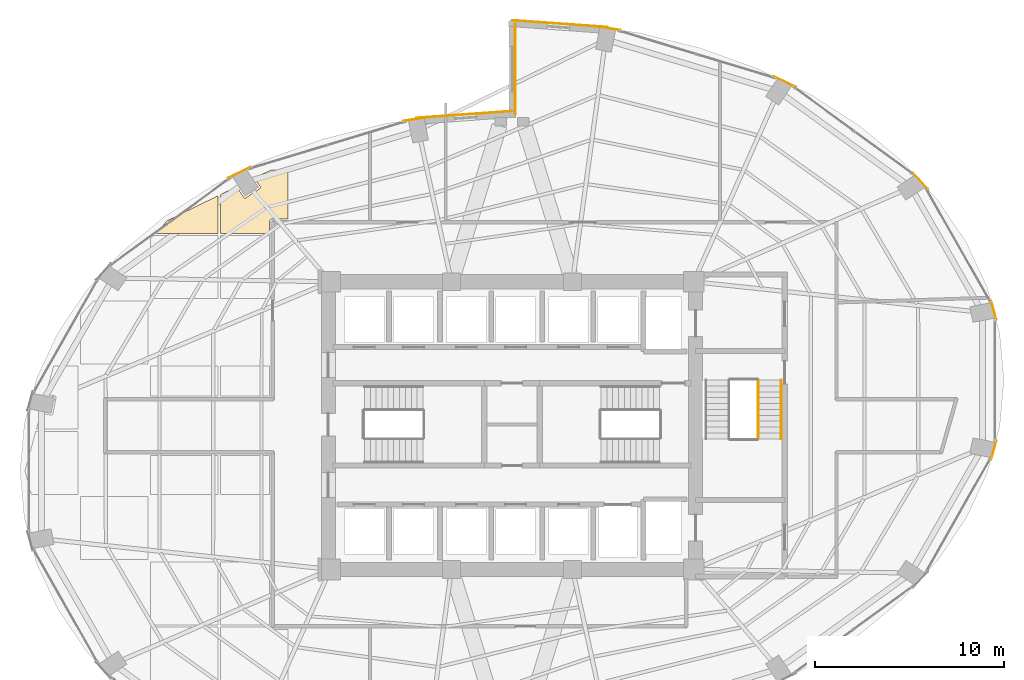
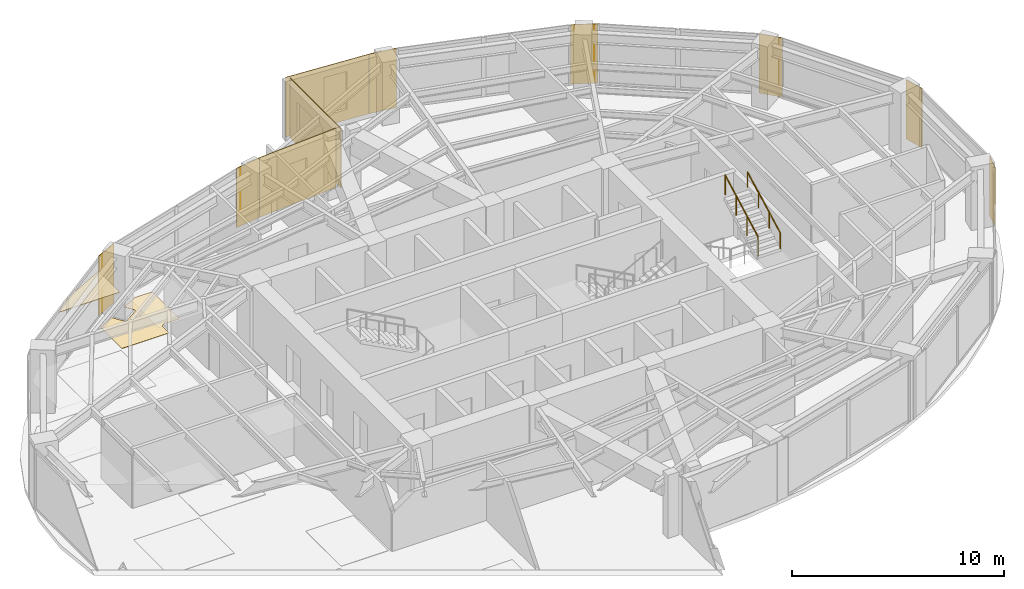
# One storey, part 23 of 23: 12 coverings, 2 railings.
"""IFC4 building model written with IfcOpenShell, lengths in metres."""

from ifc_helpers import new_model, si_unit, direction, frame, origin, origin_2d, place, context, subcontext, project, spatial, polyline, rectangle, circle, outline, extrude, material, layer, layer_set, type_object, element, save


model = new_model("IFC4")

# Units and contexts
model_context = context("Model", 3, precision=1e-05, world=origin(), true_north=direction((0.0, 1.0)))
body_context = subcontext(model_context, "Body", "Model", "MODEL_VIEW")
ifc_project = project(units=[si_unit("LENGTHUNIT", "METRE"), si_unit("AREAUNIT", "SQUARE_METRE"), si_unit("VOLUMEUNIT", "CUBIC_METRE"), si_unit("PLANEANGLEUNIT", "RADIAN"), si_unit("MASSUNIT", "GRAM", prefix="KILO")], contexts=[model_context])

# Site, building, storey
site_placement = place(None, origin())
site = spatial("IfcSite", under=ifc_project, at=site_placement, CompositionType="ELEMENT")
building_placement = place(site_placement, origin())
building = spatial("IfcBuilding", under=site, at=building_placement, Name="Lazwardi Medical Tower", CompositionType="ELEMENT")
storey_placement = place(building_placement, frame((0.0, 0.0, 125.52001953125)))
storey = spatial("IfcBuildingStorey", under=building, at=storey_placement, Name="L32", CompositionType="ELEMENT", Elevation=125.52001953125)

# Coverings
ifc_material_1 = material(Name="Anodised bronze aluminium cassette cladding", Category="aluminium")
ifc_layer_1 = layer(ifc_material_1, 0.030029296875)
ifc_layer_set_1 = layer_set([ifc_layer_1], Name="Anodised bronze aluminium cassette cladding")
covering_type_1 = type_object("IfcCoveringType", Name="COV-CLD-BRZ", PredefinedType="CLADDING", material=ifc_layer_set_1)
for number, where, z_axis, x_axis, name in (
    (1, (61.459716796875, 26.700927734375, 0.0), (0.0, 0.0, 1.0), (0.262696108164, 0.964878621774, 0.0), "L32 Mega-column bronze cassette cover M04"),
    (2, (61.459716796875, 34.09912109375, 0.0), (0.0, 0.0, 1.0), (-0.262696108164, 0.964878621774, 0.0), "L32 Mega-column bronze cassette cover M05"),
):
    element("IfcCovering", number, at=place(storey_placement, frame(where, z_axis=z_axis, x_axis=x_axis)), inside=storey, type_object=covering_type_1, Name=name, PredefinedType="CLADDING", context=body_context, shape_type="SweptSolid", body=[
        extrude(rectangle(XDim=1.04296875, YDim=0.030029296875, at=origin_2d()), origin(), (0.0, 0.0, 1.0), 3.427978515625),
    ])
covering_1_placement = place(storey_placement, frame((57.583740234375, 40.93408203125, 0.0), z_axis=(0.0, 0.0, 1.0), x_axis=(-0.674925949214, 0.737885467453, 0.0)))
element("IfcCovering", 3, at=covering_1_placement, inside=storey, type_object=covering_type_1, Name="L32 Mega-column bronze cassette cover M06", PredefinedType="CLADDING", context=body_context, shape_type="SweptSolid", body=[
    extrude(rectangle(XDim=1.15625, YDim=0.030029296875, at=origin_2d()), origin(), (0.0, 0.0, 1.0), 3.427978515625),
])
covering_2_placement = place(storey_placement, frame((50.421875, 46.16552734375, 0.0), z_axis=(0.0, 0.0, 1.0), x_axis=(-0.898679250201, 0.438606435495, 0.0)))
element("IfcCovering", 4, at=covering_2_placement, inside=storey, type_object=covering_type_1, Name="L32 Mega-column bronze cassette cover M07", PredefinedType="CLADDING", context=body_context, shape_type="SweptSolid", body=[
    extrude(rectangle(XDim=1.2998046875, YDim=0.030029296875, at=origin_2d()), origin(), (0.0, 0.0, 1.0), 3.427978515625),
])
for number, where, z_axis, x_axis, name in (
    (5, (41.064208984375, 48.99658203125, 0.0), (0.0, 0.0, 1.0), (-0.989609019093, 0.143784523955, 0.0), "L32 Mega-column bronze cassette cover M08"),
    (6, (30.935791015625, 44.19677734375, 0.0), (0.0, 0.0, 1.0), (-0.989609019093, -0.143784523955, 0.0), "L32 Mega-column bronze cassette cover M09"),
):
    element("IfcCovering", number, at=place(storey_placement, frame(where, z_axis=z_axis, x_axis=x_axis)), inside=storey, type_object=covering_type_1, Name=name, PredefinedType="CLADDING", context=body_context, shape_type="SweptSolid", body=[
        extrude(rectangle(XDim=1.392333984375, YDim=0.030029296875, at=origin_2d()), origin(), (0.0, 0.0, 1.0), 3.427978515625),
    ])
covering_3_placement = place(storey_placement, frame((21.578125, 41.365478515625, 0.0), z_axis=(0.0, 0.0, 1.0), x_axis=(-0.898679250201, -0.438606435495, 0.0)))
element("IfcCovering", 7, at=covering_3_placement, inside=storey, type_object=covering_type_1, Name="L32 Mega-column bronze cassette cover M10", PredefinedType="CLADDING", context=body_context, shape_type="SweptSolid", body=[
    extrude(rectangle(XDim=1.2998046875, YDim=0.030029296875, at=origin_2d()), origin(), (0.0, 0.0, 1.0), 3.427978515625),
])
ifc_material_2 = material(Name="Turquoise glazed ceramic tilework cladding", Category="masonry")
ifc_layer_2 = layer(ifc_material_2, 0.034912109375)
ifc_layer_set_2 = layer_set([ifc_layer_2], Name="Turquoise glazed ceramic tilework cladding")
covering_type_2 = type_object("IfcCoveringType", Name="COV-CLD-TRQ", PredefinedType="CLADDING", material=ifc_layer_set_2)
covering_4_placement = place(storey_placement, frame((38.533203125, 49.23388671875, 0.0), z_axis=(0.0, 0.0, 1.0), x_axis=(-0.997431665415, 0.07162452672, 0.0)))
element("IfcCovering", 8, at=covering_4_placement, inside=storey, type_object=covering_type_2, Name="L32 Turquoise glazed ceramic tilework cladding", PredefinedType="CLADDING", context=body_context, shape_type="SweptSolid", body=[
    extrude(rectangle(XDim=5.05419921875, YDim=0.034912109375, at=origin_2d()), origin(), (0.0, 0.0, 1.0), 3.427978515625),
])
covering_5_placement = place(storey_placement, frame((33.466552734375, 44.43408203125, 0.0), z_axis=(0.0, 0.0, 1.0), x_axis=(-0.997431165357, -0.071631490105, 0.0)))
element("IfcCovering", 9, at=covering_5_placement, inside=storey, type_object=covering_type_2, Name="L32 Turquoise glazed ceramic tilework cladding", PredefinedType="CLADDING", context=body_context, shape_type="SweptSolid", body=[
    extrude(rectangle(XDim=5.0537109375, YDim=0.034912109375, at=origin_2d()), origin(), (0.0, 0.0, 1.0), 3.427978515625),
])
covering_6_placement = place(storey_placement, frame((36.175537109375, 46.840087890625, 0.0), z_axis=(0.0, 0.0, 1.0), x_axis=(0.0, -1.0, 0.0)))
element("IfcCovering", 10, at=covering_6_placement, inside=storey, type_object=covering_type_2, Name="L32 Turquoise glazed ceramic tilework iwan panel", PredefinedType="CLADDING", context=body_context, shape_type="SweptSolid", body=[
    extrude(rectangle(XDim=4.800048828125, YDim=0.034912109375, at=origin_2d()), origin(), (0.0, 0.0, 1.0), 3.427978515625),
])
ifc_material_3 = material(Name="Acoustic mineral fibre tile")
ifc_layer_3 = layer(ifc_material_3, 0.02490234375)
ifc_layer_set_3 = layer_set([ifc_layer_3], Name="Acoustic mineral fibre tile")
covering_type_3 = type_object("IfcCoveringType", Name="COV-CLG-01", PredefinedType="CEILING", material=ifc_layer_set_3)
covering_7_placement = place(storey_placement, frame((0.0, 0.0, 3.282958984375)))
element("IfcCovering", 11, at=covering_7_placement, inside=storey, type_object=covering_type_3, Name="L32 Clinical Acoustic Ceiling 6", PredefinedType="CEILING", context=body_context, shape_type="SweptSolid", body=[
    extrude(outline(polyline([(20.472900390625, 40.148681640625), (17.791259765625, 38.84228515625), (17.167724609375, 38.162353515625), (20.472900390625, 38.162353515625), (20.472900390625, 40.148681640625)])), origin(), (0.0, 0.0, 1.0), 0.02490234375),
])
ifc_material_4 = material(Name="Anti-static hospital vinyl sheet flooring")
ifc_layer_4 = layer(ifc_material_4, 0.014892578125)
ifc_layer_set_4 = layer_set([ifc_layer_4], Name="Anti-static hospital vinyl sheet flooring")
covering_type_4 = type_object("IfcCoveringType", Name="COV-FLR-01", PredefinedType="FLOORING", material=ifc_layer_set_4)
covering_8_placement = place(storey_placement, origin())
element("IfcCovering", 12, at=covering_8_placement, inside=storey, type_object=covering_type_4, Name="L32 Clinical Vinyl Flooring 9", PredefinedType="FLOORING", context=body_context, shape_type="SweptSolid", body=[
    extrude(outline(polyline([(23.232177734375, 41.492431640625), (22.39111328125, 41.082763671875), (22.693115234375, 40.630859375), (22.697265625, 40.6240234375), (22.700439453125, 40.616943359375), (22.703125, 40.609619140625), (22.705078125, 40.60205078125), (22.706298828125, 40.59423828125), (22.70654296875, 40.58642578125), (22.706298828125, 40.57861328125), (22.705078125, 40.57080078125), (22.703125, 40.563232421875), (22.700439453125, 40.555908203125), (22.697265625, 40.548583984375), (22.693115234375, 40.5419921875), (22.6884765625, 40.53564453125), (22.68310546875, 40.52978515625), (22.677490234375, 40.524658203125), (22.6708984375, 40.52001953125), (21.939208984375, 40.031005859375), (21.9326171875, 40.02685546875), (21.925537109375, 40.023681640625), (21.918212890625, 40.02099609375), (21.910400390625, 40.01904296875), (21.902587890625, 40.017822265625), (21.89501953125, 40.017578125), (21.88720703125, 40.017822265625), (21.87939453125, 40.01904296875), (21.87158203125, 40.02099609375), (21.8642578125, 40.023681640625), (21.857177734375, 40.02685546875), (21.8505859375, 40.031005859375), (21.843994140625, 40.03564453125), (21.83837890625, 40.041015625), (21.8330078125, 40.046875), (21.828369140625, 40.052978515625), (21.447509765625, 40.623291015625), (20.593017578125, 40.20703125), (20.593017578125, 38.162353515625), (23.175048828125, 38.162353515625), (23.175048828125, 38.75), (23.175048828125, 38.75439453125), (23.175537109375, 38.763671875), (23.17626953125, 38.7705078125), (23.177490234375, 38.77978515625), (23.17919921875, 38.7880859375), (23.181396484375, 38.797119140625), (23.18359375, 38.80419921875), (23.186767578125, 38.81298828125), (23.18994140625, 38.82080078125), (23.194091796875, 38.8291015625), (23.197509765625, 38.8359375), (23.202392578125, 38.843994140625), (23.206787109375, 38.8505859375), (23.21240234375, 38.858154296875), (23.217041015625, 38.86376953125), (23.223388671875, 38.87060546875), (23.229248046875, 38.876708984375), (23.236083984375, 38.8828125), (23.24169921875, 38.887451171875), (23.249267578125, 38.89306640625), (23.256103515625, 38.897705078125), (23.263916015625, 38.90234375), (23.270751953125, 38.906005859375), (23.279296875, 38.909912109375), (23.287109375, 38.913330078125), (23.2958984375, 38.91650390625), (23.302734375, 38.91845703125), (23.31201171875, 38.9208984375), (23.3203125, 38.92236328125), (23.32958984375, 38.923583984375), (23.33642578125, 38.92431640625), (23.345703125, 38.9248046875), (23.35009765625, 38.925048828125), (24.1728515625, 38.925048828125), (24.1728515625, 41.492431640625), (23.232177734375, 41.492431640625)])), origin(), (0.0, 0.0, 1.0), 0.014892578125),
])

# Railings
ifc_material_5 = material(Name="Stainless steel Grade 316", Category="steel")
railing_type_1 = type_object("IfcRailingType", Name="RLG-GRD-1150", PredefinedType="GUARDRAIL", material=ifc_material_5)
railing_1_placement = place(storey_placement, frame((49.010009765625, 27.300048828125, 1.98974609375)))
element("IfcRailing", 13, at=railing_1_placement, inside=storey, type_object=railing_type_1, Name="L32 ST3 stair guard 3", PredefinedType="GUARDRAIL", context=body_context, shape_type="SweptSolid", body=[
    extrude(circle(Radius=0.02392578125, at=origin_2d()), frame((0.0, 0.0, 1.1259765625), z_axis=(0.0, 0.881767849116, 0.471683644262), x_axis=(-1.0, 0.0, 0.0)), (0.0, 0.0, 1.0), 3.515380859375),
    extrude(circle(Radius=0.02099609375, at=origin_2d()), origin(), (0.0, 0.0, 1.0), 1.099853515625),
    extrude(circle(Radius=0.02099609375, at=origin_2d()), frame((0.0, 1.033203125, 0.552734375)), (0.0, 0.0, 1.0), 1.099853515625),
    extrude(circle(Radius=0.02099609375, at=origin_2d()), frame((0.0, 2.066650390625, 1.10546875)), (0.0, 0.0, 1.0), 1.099853515625),
    extrude(circle(Radius=0.02099609375, at=origin_2d()), frame((0.0, 3.099853515625, 1.658203125)), (0.0, 0.0, 1.0), 1.099853515625),
])
railing_type_2 = type_object("IfcRailingType", Name="RLG-HND-920", PredefinedType="HANDRAIL", material=ifc_material_5)
railing_2_placement = place(storey_placement, frame((50.22998046875, 27.300048828125, 1.98974609375)))
element("IfcRailing", 14, at=railing_2_placement, inside=storey, type_object=railing_type_2, Name="L32 ST3 stair handrail 2", PredefinedType="HANDRAIL", context=body_context, shape_type="SweptSolid", body=[
    extrude(circle(Radius=0.02392578125, at=origin_2d()), frame((0.0, 0.0, 0.8857421875), z_axis=(0.0, 0.881767849116, 0.471683644262), x_axis=(-1.0, 0.0, 0.0)), (0.0, 0.0, 1.0), 3.515380859375),
    extrude(circle(Radius=0.02099609375, at=origin_2d()), origin(), (0.0, 0.0, 1.0), 0.85986328125),
    extrude(circle(Radius=0.02099609375, at=origin_2d()), frame((0.0, 1.033203125, 0.552734375)), (0.0, 0.0, 1.0), 0.85986328125),
    extrude(circle(Radius=0.02099609375, at=origin_2d()), frame((0.0, 2.066650390625, 1.10546875)), (0.0, 0.0, 1.0), 0.85986328125),
    extrude(circle(Radius=0.02099609375, at=origin_2d()), frame((0.0, 3.099853515625, 1.658203125)), (0.0, 0.0, 1.0), 0.85986328125),
])

save(model, "model.ifc")
